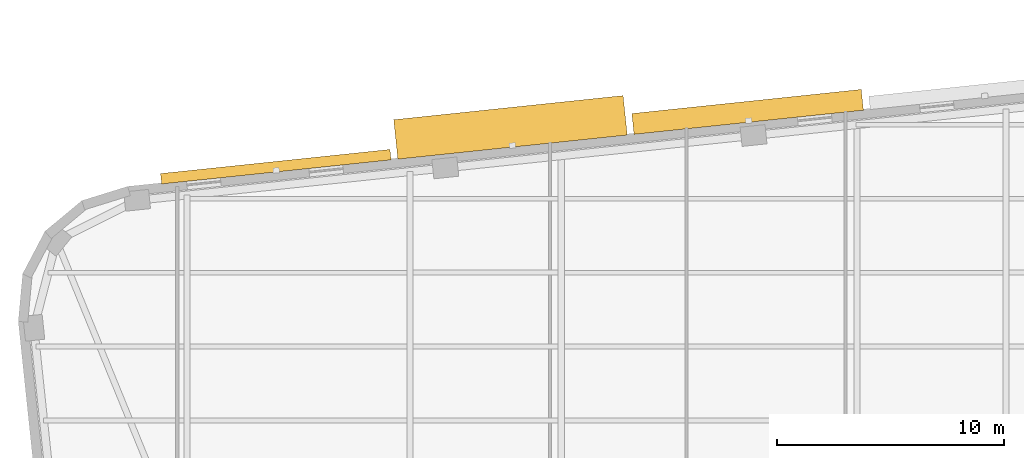
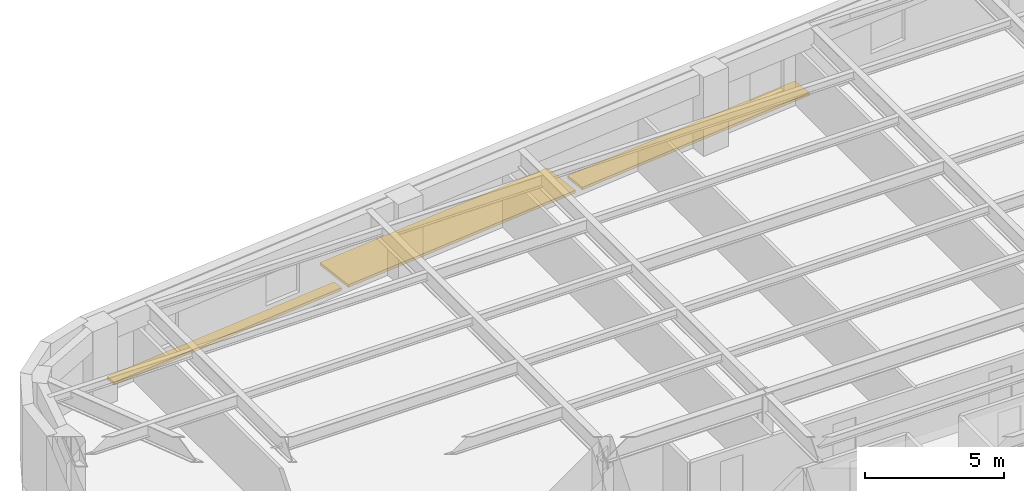
# One storey, part 12 of 13: 3 shading devices.
"""IFC4 building model written with IfcOpenShell, lengths in metres."""

from ifc_helpers import new_model, si_unit, direction, frame, origin, origin_2d, place, context, subcontext, project, spatial, rectangle, extrude, material, type_object, element, save


model = new_model("IFC4")

# Units and contexts
model_context = context("Model", 3, precision=1e-05, world=origin(), true_north=direction((0.0, 1.0)))
body_context = subcontext(model_context, "Body", "Model", "MODEL_VIEW")
ifc_project = project(units=[si_unit("LENGTHUNIT", "METRE"), si_unit("AREAUNIT", "SQUARE_METRE"), si_unit("VOLUMEUNIT", "CUBIC_METRE"), si_unit("PLANEANGLEUNIT", "RADIAN"), si_unit("MASSUNIT", "GRAM", prefix="KILO")], contexts=[model_context])

# Site, building, storey
site_placement = place(None, origin())
site = spatial("IfcSite", under=ifc_project, at=site_placement, CompositionType="ELEMENT")
building_placement = place(site_placement, origin())
building = spatial("IfcBuilding", under=site, at=building_placement, Name="Kolvaren Arena Tower", CompositionType="ELEMENT")
storey_placement = place(building_placement, frame((0.0, 0.0, 114.699951171875)))
storey = spatial("IfcBuildingStorey", under=building, at=storey_placement, Name="L26", CompositionType="ELEMENT", Elevation=114.699951171875)

# Shading devices
ifc_material = material(Name="Architectural precast GFRC and anodised aluminium sunshade", Category="concrete")
shading_device_type_1 = type_object("IfcShadingDeviceType", Name="SHAD-SINE-A", PredefinedType="USERDEFINED", material=ifc_material)
shading_device_1_placement = place(storey_placement, frame((18.45166015625, 51.15478515625, -0.139892578125), z_axis=(0.0, 0.0, 1.0), x_axis=(0.994522077803, 0.104526727499, 0.0)))
element("IfcShadingDevice", 1, at=shading_device_1_placement, inside=storey, type_object=shading_device_type_1, Name="Sinusoidal Slab-Edge Sunshade Louvre (L26)", ObjectType="LOUVRE", PredefinedType="USERDEFINED", context=body_context, shape_type="SweptSolid", body=[
    extrude(rectangle(XDim=10.139892578125, YDim=0.461181640625, at=origin_2d()), origin(), (0.0, 0.0, 1.0), 0.1201171875),
])
shading_device_2_placement = place(storey_placement, frame((39.193359375, 53.565185546875, -0.139892578125), z_axis=(0.0, 0.0, 1.0), x_axis=(0.994522077803, 0.104526727499, 0.0)))
element("IfcShadingDevice", 2, at=shading_device_2_placement, inside=storey, type_object=shading_device_type_1, Name="Sinusoidal Slab-Edge Sunshade Louvre (L26)", ObjectType="LOUVRE", PredefinedType="USERDEFINED", context=body_context, shape_type="SweptSolid", body=[
    extrude(rectangle(XDim=10.139892578125, YDim=0.919677734375, at=origin_2d()), origin(), (0.0, 0.0, 1.0), 0.1201171875),
])
shading_device_type_2 = type_object("IfcShadingDeviceType", Name="SHAD-SINE-B", PredefinedType="JALOUSIE", material=ifc_material)
shading_device_3_placement = place(storey_placement, frame((28.767578125, 52.8837890625, -0.139892578125), z_axis=(0.0, 0.0, 1.0), x_axis=(0.994522077803, 0.104526727499, 0.0)))
element("IfcShadingDevice", 3, at=shading_device_3_placement, inside=storey, type_object=shading_device_type_2, Name="Sinusoidal Slab-Edge Sunshade Louvre (L26)", PredefinedType="JALOUSIE", context=body_context, shape_type="SweptSolid", body=[
    extrude(rectangle(XDim=10.139892578125, YDim=1.74365234375, at=origin_2d()), origin(), (0.0, 0.0, 1.0), 0.1201171875),
])

save(model, "model.ifc")
